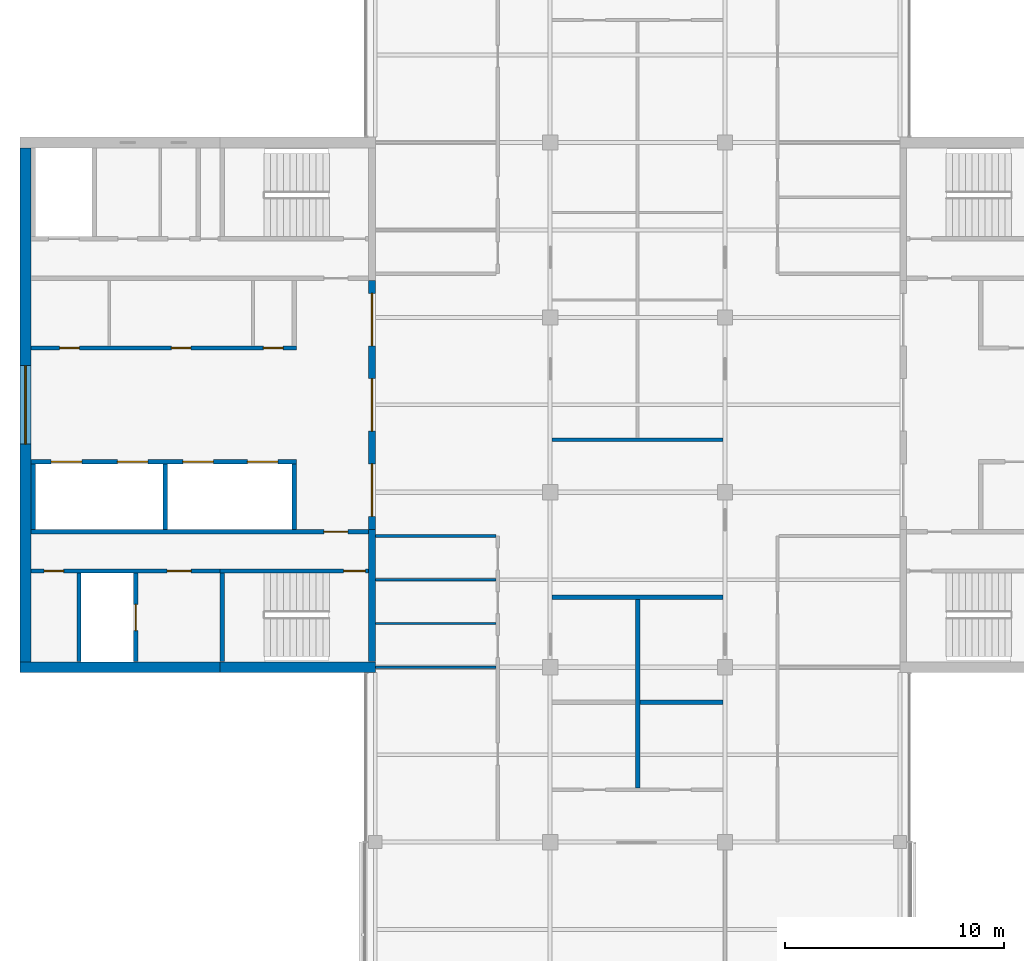
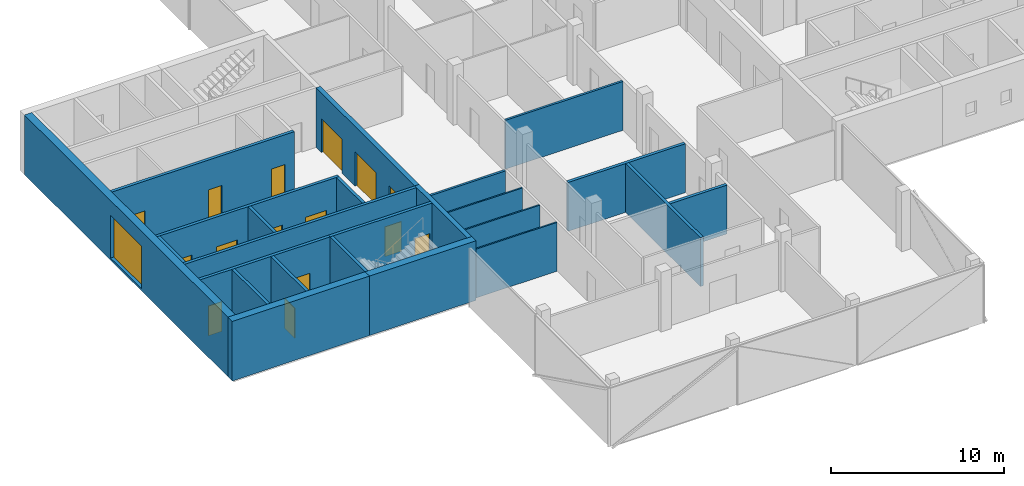
# One storey, part 9 of 16: 24 walls, 15 doors, 1 window, 16 openings.
"""IFC4 building model written with IfcOpenShell, lengths in metres."""

from ifc_helpers import new_model, si_unit, direction, frame, frame_2d, origin, place, context, subcontext, project, spatial, rectangle, extrude, material, layer, layer_set, constituent, constituent_set, type_object, element, fill, save


model = new_model("IFC4")

# Units and contexts
model_context = context("Model", 3, precision=1e-05, world=origin(), true_north=direction((0.0, 1.0)))
body_context = subcontext(model_context, "Body", "Model", "MODEL_VIEW")
ifc_project = project(units=[si_unit("LENGTHUNIT", "METRE"), si_unit("AREAUNIT", "SQUARE_METRE"), si_unit("VOLUMEUNIT", "CUBIC_METRE"), si_unit("PLANEANGLEUNIT", "RADIAN"), si_unit("MASSUNIT", "GRAM", prefix="KILO")], contexts=[model_context])

# Site, building, storey
site_placement = place(None, origin())
site = spatial("IfcSite", under=ifc_project, at=site_placement, CompositionType="ELEMENT")
building_placement = place(site_placement, origin())
building = spatial("IfcBuilding", under=site, at=building_placement, Name="Crosswind Convention Tower", CompositionType="ELEMENT")
storey_placement = place(building_placement, frame((0.0, 0.0, 274.5)))
storey = spatial("IfcBuildingStorey", under=building, at=storey_placement, Name="L59", CompositionType="ELEMENT", Elevation=274.5)

# Walls
ifc_material_1 = material(Name="Concrete blockwork", Category="masonry")
ifc_layer_1 = layer(ifc_material_1, 0.199951171875)
ifc_layer_set_1 = layer_set([ifc_layer_1], Name="COMPARTMENT WALL 200 BLOCKWORK")
wall_type_1 = type_object("IfcWallType", Name="COMPARTMENT WALL 200 BLOCKWORK", PredefinedType="SOLIDWALL", material=ifc_layer_set_1)
wall_1_placement = place(storey_placement, frame((125.0, 82.47509765625, 0.0), z_axis=(0.0, 0.0, 1.0), x_axis=(0.0, 1.0, 0.0)))
element("IfcWall", 1, at=wall_1_placement, inside=storey, type_object=wall_type_1, Name="Compartment wall WT42", PredefinedType="SOLIDWALL", context=body_context, shape_type="SweptSolid", body=[
    extrude(rectangle(XDim=8.625, YDim=0.199951171875, at=frame_2d((4.3125, 0.0))), origin(), (0.0, 0.0, 1.0), 3.44287109375),
])
wall_2_placement = place(storey_placement, frame((121.074951171875, 91.199951171875, 0.0), z_axis=(0.0, 0.0, 1.0), x_axis=(1.0, 0.0, 0.0)))
element("IfcWall", 2, at=wall_2_placement, inside=storey, type_object=wall_type_1, Name="Compartment wall WT42", PredefinedType="SOLIDWALL", context=body_context, shape_type="SweptSolid", body=[
    extrude(rectangle(XDim=7.824951171875, YDim=0.199951171875, at=frame_2d((3.91259765625, 0.0))), origin(), (0.0, 0.0, 1.0), 3.44287109375),
])
wall_3_placement = place(storey_placement, frame((125.10009765625, 86.39990234375, 0.0), z_axis=(0.0, 0.0, 1.0), x_axis=(1.0, 0.0, 0.0)))
element("IfcWall", 3, at=wall_3_placement, inside=storey, type_object=wall_type_1, Name="Compartment wall WT42", PredefinedType="SOLIDWALL", context=body_context, shape_type="SweptSolid", body=[
    extrude(rectangle(XDim=3.7998046875, YDim=0.199951171875, at=frame_2d((1.89990234375, 0.0))), origin(), (0.0, 0.0, 1.0), 3.44287109375),
])

# Wall, openings, doors
ifc_material_2 = material(Name="Concrete C50/60", Category="concrete")
ifc_layer_2 = layer(ifc_material_2, 0.300048828125)
ifc_layer_set_2 = layer_set([ifc_layer_2], Name="Concrete C50/60")
wall_type_2 = type_object("IfcWallType", Name="Concrete inner core wall 300", PredefinedType="SHEAR", material=ifc_layer_set_2)
wall_4_placement = place(storey_placement, frame((112.85009765625, 105.699951171875, 0.0), z_axis=(0.0, 0.0, 1.0), x_axis=(0.0, -1.0, 0.0)))
wall_4 = element("IfcWall", 4, at=wall_4_placement, inside=storey, type_object=wall_type_2, Name="Wall SCR W L59", PredefinedType="SHEAR", context=body_context, shape_type="SweptSolid", body=[
    extrude(rectangle(XDim=11.39990234375, YDim=0.300048828125, at=frame_2d((5.699951171875, 0.0))), origin(), (0.0, 0.0, 1.0), 4.199951171875),
])
opening_1_placement = place(wall_4_placement, frame((0.60009765625, 0.0, 0.0)))
opening_1 = element("IfcOpeningElement", 5, at=opening_1_placement, cuts=wall_4, Name="Opening D100", PredefinedType="OPENING", context=body_context, shape_type="SweptSolid", body=[
    extrude(rectangle(XDim=2.39990234375, YDim=2.39990234375, at=frame_2d((1.199951171875, 1.199951171875))), frame((0.0, 0.159912109375, 0.0), z_axis=(0.0, -1.0, 0.0), x_axis=(1.0, 0.0, 0.0)), (0.0, 0.0, 1.0), 0.320068359375),
])
opening_2_placement = place(wall_4_placement, frame((4.5, 0.0, 0.0)))
opening_2 = element("IfcOpeningElement", 6, at=opening_2_placement, cuts=wall_4, Name="Opening D100", PredefinedType="OPENING", context=body_context, shape_type="SweptSolid", body=[
    extrude(rectangle(XDim=2.39990234375, YDim=2.39990234375, at=frame_2d((1.199951171875, 1.199951171875))), frame((0.0, 0.159912109375, 0.0), z_axis=(0.0, -1.0, 0.0), x_axis=(1.0, 0.0, 0.0)), (0.0, 0.0, 1.0), 0.320068359375),
])
opening_3_placement = place(wall_4_placement, frame((8.39990234375, 0.0, 0.0)))
opening_3 = element("IfcOpeningElement", 7, at=opening_3_placement, cuts=wall_4, Name="Opening D100", PredefinedType="OPENING", context=body_context, shape_type="SweptSolid", body=[
    extrude(rectangle(XDim=2.39990234375, YDim=2.39990234375, at=frame_2d((1.199951171875, 1.199951171875))), frame((0.0, 0.159912109375, 0.0), z_axis=(0.0, -1.0, 0.0), x_axis=(1.0, 0.0, 0.0)), (0.0, 0.0, 1.0), 0.320068359375),
])
ifc_material_3 = material(Name="Steel fire door with glazed vision panels", Category="steel")
door_type_1 = type_object("IfcDoorType", Name="Fire-rated double door 2400x2400", OperationType="DOUBLE_DOOR_SINGLE_SWING", PredefinedType="DOOR", material=ifc_material_3)
door_1_placement = place(opening_1_placement, origin())
door_1 = element("IfcDoor", 8, at=door_1_placement, inside=storey, type_object=door_type_1, Name="Lobby door 1 L59", ObjectType="D100", OperationType="DOUBLE_DOOR_SINGLE_SWING", OverallHeight=2.39990234375, OverallWidth=2.39990234375, PredefinedType="DOOR", context=body_context, shape_type="SweptSolid", body=[
    extrude(rectangle(XDim=2.39990234375, YDim=2.39990234375, at=frame_2d((1.199951171875, 1.199951171875))), frame((0.0, 0.02490234375, 0.0), z_axis=(0.0, -1.0, 0.0), x_axis=(1.0, 0.0, 0.0)), (0.0, 0.0, 1.0), 0.050048828125),
])
fill(opening_1, door_1)
door_2_placement = place(opening_2_placement, origin())
door_2 = element("IfcDoor", 9, at=door_2_placement, inside=storey, type_object=door_type_1, Name="Lobby door 2 L59", ObjectType="D100", OperationType="DOUBLE_DOOR_SINGLE_SWING", OverallHeight=2.39990234375, OverallWidth=2.39990234375, PredefinedType="DOOR", context=body_context, shape_type="SweptSolid", body=[
    extrude(rectangle(XDim=2.39990234375, YDim=2.39990234375, at=frame_2d((1.199951171875, 1.199951171875))), frame((0.0, 0.02490234375, 0.0), z_axis=(0.0, -1.0, 0.0), x_axis=(1.0, 0.0, 0.0)), (0.0, 0.0, 1.0), 0.050048828125),
])
fill(opening_2, door_2)
door_3_placement = place(opening_3_placement, origin())
door_3 = element("IfcDoor", 10, at=door_3_placement, inside=storey, type_object=door_type_1, Name="Lobby door 3 L59", ObjectType="D100", OperationType="DOUBLE_DOOR_SINGLE_SWING", OverallHeight=2.39990234375, OverallWidth=2.39990234375, PredefinedType="DOOR", context=body_context, shape_type="SweptSolid", body=[
    extrude(rectangle(XDim=2.39990234375, YDim=2.39990234375, at=frame_2d((1.199951171875, 1.199951171875))), frame((0.0, 0.02490234375, 0.0), z_axis=(0.0, -1.0, 0.0), x_axis=(1.0, 0.0, 0.0)), (0.0, 0.0, 1.0), 0.050048828125),
])
fill(opening_3, door_3)

# Walls
wall_5_placement = place(storey_placement, frame((112.85009765625, 94.300048828125, 0.0), z_axis=(0.0, 0.0, 1.0), x_axis=(0.0, -1.0, 0.0)))
element("IfcWall", 11, at=wall_5_placement, inside=storey, type_object=wall_type_2, Name="Wall EP W L59", PredefinedType="SHEAR", context=body_context, shape_type="SweptSolid", body=[
    extrude(rectangle(XDim=6.050048828125, YDim=0.300048828125, at=frame_2d((3.02490234375, 0.0))), origin(), (0.0, 0.0, 1.0), 4.199951171875),
])
ifc_layer_3 = layer(ifc_material_2, 0.199951171875)
ifc_layer_set_3 = layer_set([ifc_layer_3], Name="Concrete C50/60")
wall_type_3 = type_object("IfcWallType", Name="Concrete shaft and stair wall 200", PredefinedType="SHEAR", material=ifc_layer_set_3)
for number, where, z_axis, x_axis, name in (
    (12, (109.300048828125, 97.300048828125, 0.0), (0.0, 0.0, 1.0), (0.0, -1.0, 0.0), "Wall RPEND W L59"),
    (13, (103.39990234375, 97.300048828125, 0.0), (0.0, 0.0, 1.0), (0.0, -1.0, 0.0), "Wall RPSEP W L59"),
    (14, (97.35009765625, 97.300048828125, 0.0), (0.0, 0.0, 1.0), (0.0, -1.0, 0.0), "Wall RPEAST W L59"),
):
    element("IfcWall", number, at=place(storey_placement, frame(where, z_axis=z_axis, x_axis=x_axis)), inside=storey, type_object=wall_type_3, Name=name, PredefinedType="SHEAR", context=body_context, shape_type="SweptSolid", body=[
        extrude(rectangle(XDim=3.0, YDim=0.199951171875, at=frame_2d((1.5, 0.0))), origin(), (0.0, 0.0, 1.0), 4.199951171875),
    ])

# Wall, openings, doors
wall_6_placement = place(storey_placement, frame((109.39990234375, 97.39990234375, 0.0), z_axis=(0.0, 0.0, 1.0), x_axis=(-1.0, 0.0, 0.0)))
wall_6 = element("IfcWall", 15, at=wall_6_placement, inside=storey, type_object=wall_type_3, Name="Wall RPFRONT W L59", PredefinedType="SHEAR", context=body_context, shape_type="SweptSolid", body=[
    extrude(rectangle(XDim=12.14990234375, YDim=0.199951171875, at=frame_2d((6.074951171875, 0.0))), origin(), (0.0, 0.0, 1.0), 4.199951171875),
])
opening_4_placement = place(wall_6_placement, frame((0.85009765625, 0.0, 0.0)))
opening_4 = element("IfcOpeningElement", 16, at=opening_4_placement, cuts=wall_6, Name="Opening LD2", PredefinedType="OPENING", context=body_context, shape_type="SweptSolid", body=[
    extrude(rectangle(XDim=1.39990234375, YDim=2.10009765625, at=frame_2d((0.699951171875, 1.050048828125))), frame((0.0, 0.10986328125, 0.0), z_axis=(0.0, -1.0, 0.0), x_axis=(1.0, 0.0, 0.0)), (0.0, 0.0, 1.0), 0.219970703125),
])
opening_5_placement = place(wall_6_placement, frame((3.800048828125, 0.0, 0.0)))
opening_5 = element("IfcOpeningElement", 17, at=opening_5_placement, cuts=wall_6, Name="Opening LD2", PredefinedType="OPENING", context=body_context, shape_type="SweptSolid", body=[
    extrude(rectangle(XDim=1.39990234375, YDim=2.10009765625, at=frame_2d((0.699951171875, 1.050048828125))), frame((0.0, 0.10986328125, 0.0), z_axis=(0.0, -1.0, 0.0), x_axis=(1.0, 0.0, 0.0)), (0.0, 0.0, 1.0), 0.219970703125),
])
opening_6_placement = place(wall_6_placement, frame((6.800048828125, 0.0, 0.0)))
opening_6 = element("IfcOpeningElement", 18, at=opening_6_placement, cuts=wall_6, Name="Opening LD2", PredefinedType="OPENING", context=body_context, shape_type="SweptSolid", body=[
    extrude(rectangle(XDim=1.39990234375, YDim=2.10009765625, at=frame_2d((0.699951171875, 1.050048828125))), frame((0.0, 0.10986328125, 0.0), z_axis=(0.0, -1.0, 0.0), x_axis=(1.0, 0.0, 0.0)), (0.0, 0.0, 1.0), 0.219970703125),
])
opening_7_placement = place(wall_6_placement, frame((9.824951171875, 0.0, 0.0)))
opening_7 = element("IfcOpeningElement", 19, at=opening_7_placement, cuts=wall_6, Name="Opening LD2", PredefinedType="OPENING", context=body_context, shape_type="SweptSolid", body=[
    extrude(rectangle(XDim=1.39990234375, YDim=2.10009765625, at=frame_2d((0.699951171875, 1.050048828125))), frame((0.0, 0.10986328125, 0.0), z_axis=(0.0, -1.0, 0.0), x_axis=(1.0, 0.0, 0.0)), (0.0, 0.0, 1.0), 0.219970703125),
])
ifc_material_4 = material(Name="Stainless steel", Category="steel")
door_type_2 = type_object("IfcDoorType", Name="Lift landing door 1400x2100", OperationType="DOUBLE_DOOR_SLIDING", PredefinedType="DOOR", material=ifc_material_4)
door_4_placement = place(opening_4_placement, origin())
door_4 = element("IfcDoor", 20, at=door_4_placement, inside=storey, type_object=door_type_2, Name="Landing door HR1 L59", ObjectType="LD2", OperationType="DOUBLE_DOOR_SLIDING", OverallHeight=2.10009765625, OverallWidth=1.39990234375, PredefinedType="DOOR", context=body_context, shape_type="SweptSolid", body=[
    extrude(rectangle(XDim=1.39990234375, YDim=2.10009765625, at=frame_2d((0.699951171875, 1.050048828125))), frame((0.0, 0.02490234375, 0.0), z_axis=(0.0, -1.0, 0.0), x_axis=(1.0, 0.0, 0.0)), (0.0, 0.0, 1.0), 0.050048828125),
])
fill(opening_4, door_4)
door_5_placement = place(opening_5_placement, origin())
door_5 = element("IfcDoor", 21, at=door_5_placement, inside=storey, type_object=door_type_2, Name="Landing door HR2 L59", ObjectType="LD2", OperationType="DOUBLE_DOOR_SLIDING", OverallHeight=2.10009765625, OverallWidth=1.39990234375, PredefinedType="DOOR", context=body_context, shape_type="SweptSolid", body=[
    extrude(rectangle(XDim=1.39990234375, YDim=2.10009765625, at=frame_2d((0.699951171875, 1.050048828125))), frame((0.0, 0.02490234375, 0.0), z_axis=(0.0, -1.0, 0.0), x_axis=(1.0, 0.0, 0.0)), (0.0, 0.0, 1.0), 0.050048828125),
])
fill(opening_5, door_5)
door_6_placement = place(opening_6_placement, origin())
door_6 = element("IfcDoor", 22, at=door_6_placement, inside=storey, type_object=door_type_2, Name="Landing door HR3 L59", ObjectType="LD2", OperationType="DOUBLE_DOOR_SLIDING", OverallHeight=2.10009765625, OverallWidth=1.39990234375, PredefinedType="DOOR", context=body_context, shape_type="SweptSolid", body=[
    extrude(rectangle(XDim=1.39990234375, YDim=2.10009765625, at=frame_2d((0.699951171875, 1.050048828125))), frame((0.0, 0.02490234375, 0.0), z_axis=(0.0, -1.0, 0.0), x_axis=(1.0, 0.0, 0.0)), (0.0, 0.0, 1.0), 0.050048828125),
])
fill(opening_6, door_6)
door_7_placement = place(opening_7_placement, origin())
door_7 = element("IfcDoor", 23, at=door_7_placement, inside=storey, type_object=door_type_2, Name="Landing door HR4 L59", ObjectType="LD2", OperationType="DOUBLE_DOOR_SLIDING", OverallHeight=2.10009765625, OverallWidth=1.39990234375, PredefinedType="DOOR", context=body_context, shape_type="SweptSolid", body=[
    extrude(rectangle(XDim=1.39990234375, YDim=2.10009765625, at=frame_2d((0.699951171875, 1.050048828125))), frame((0.0, 0.02490234375, 0.0), z_axis=(0.0, -1.0, 0.0), x_axis=(1.0, 0.0, 0.0)), (0.0, 0.0, 1.0), 0.050048828125),
])
fill(opening_7, door_7)

wall_7_placement = place(storey_placement, frame((109.39990234375, 102.60009765625, 0.0), z_axis=(0.0, 0.0, 1.0), x_axis=(-1.0, 0.0, 0.0)))
wall_7 = element("IfcWall", 24, at=wall_7_placement, inside=storey, type_object=wall_type_3, Name="Wall RMFRONT W L59", PredefinedType="SHEAR", context=body_context, shape_type="SweptSolid", body=[
    extrude(rectangle(XDim=12.14990234375, YDim=0.199951171875, at=frame_2d((6.074951171875, 0.0))), origin(), (0.0, 0.0, 1.0), 4.199951171875),
])
opening_8_placement = place(wall_7_placement, frame((0.614990234375, 0.0, 0.0)))
opening_8 = element("IfcOpeningElement", 25, at=opening_8_placement, cuts=wall_7, Name="Opening D106", PredefinedType="OPENING", context=body_context, shape_type="SweptSolid", body=[
    extrude(rectangle(XDim=0.89990234375, YDim=2.10009765625, at=frame_2d((0.449951171875, 1.050048828125))), frame((0.0, 0.10986328125, 0.0), z_axis=(0.0, -1.0, 0.0), x_axis=(1.0, 0.0, 0.0)), (0.0, 0.0, 1.0), 0.219970703125),
])
opening_9_placement = place(wall_7_placement, frame((4.828857421875, 0.0, 0.0)))
opening_9 = element("IfcOpeningElement", 26, at=opening_9_placement, cuts=wall_7, Name="Opening D106", PredefinedType="OPENING", context=body_context, shape_type="SweptSolid", body=[
    extrude(rectangle(XDim=0.89990234375, YDim=2.10009765625, at=frame_2d((0.449951171875, 1.050048828125))), frame((0.0, 0.10986328125, 0.0), z_axis=(0.0, -1.0, 0.0), x_axis=(1.0, 0.0, 0.0)), (0.0, 0.0, 1.0), 0.219970703125),
])
opening_10_placement = place(wall_7_placement, frame((9.938720703125, 0.0, 0.0)))
opening_10 = element("IfcOpeningElement", 27, at=opening_10_placement, cuts=wall_7, Name="Opening D106", PredefinedType="OPENING", context=body_context, shape_type="SweptSolid", body=[
    extrude(rectangle(XDim=0.89990234375, YDim=2.10009765625, at=frame_2d((0.449951171875, 1.050048828125))), frame((0.0, 0.10986328125, 0.0), z_axis=(0.0, -1.0, 0.0), x_axis=(1.0, 0.0, 0.0)), (0.0, 0.0, 1.0), 0.219970703125),
])
ifc_material_5 = material(Name="Timber door", Category="wood")
door_type_3 = type_object("IfcDoorType", Name="Single leaf door 900x2100", OperationType="NOTDEFINED", PredefinedType="DOOR", material=ifc_material_5)
door_8_placement = place(opening_8_placement, frame((0.89990234375, 0.0, 0.0), z_axis=(0.0, 0.0, 1.0), x_axis=(-1.0, 0.0, 0.0)))
door_8 = element("IfcDoor", 28, at=door_8_placement, inside=storey, type_object=door_type_3, Name="Door to pantry L59", ObjectType="D106", OperationType="SINGLE_SWING_LEFT", OverallHeight=2.10009765625, OverallWidth=0.89990234375, PredefinedType="DOOR", context=body_context, shape_type="SweptSolid", body=[
    extrude(rectangle(XDim=0.89990234375, YDim=2.10009765625, at=frame_2d((0.449951171875, 1.050048828125))), frame((0.0, 0.02490234375, 0.0), z_axis=(0.0, -1.0, 0.0), x_axis=(1.0, 0.0, 0.0)), (0.0, 0.0, 1.0), 0.050048828125),
])
fill(opening_8, door_8)
door_9_placement = place(opening_9_placement, frame((0.89990234375, 0.0, 0.0), z_axis=(0.0, 0.0, 1.0), x_axis=(-1.0, 0.0, 0.0)))
door_9 = element("IfcDoor", 29, at=door_9_placement, inside=storey, type_object=door_type_3, Name="Door to telecoms room L59", ObjectType="D106", OperationType="SINGLE_SWING_LEFT", OverallHeight=2.10009765625, OverallWidth=0.89990234375, PredefinedType="DOOR", context=body_context, shape_type="SweptSolid", body=[
    extrude(rectangle(XDim=0.89990234375, YDim=2.10009765625, at=frame_2d((0.449951171875, 1.050048828125))), frame((0.0, 0.02490234375, 0.0), z_axis=(0.0, -1.0, 0.0), x_axis=(1.0, 0.0, 0.0)), (0.0, 0.0, 1.0), 0.050048828125),
])
fill(opening_9, door_9)
door_10_placement = place(opening_10_placement, frame((0.89990234375, 0.0, 0.0), z_axis=(0.0, 0.0, 1.0), x_axis=(-1.0, 0.0, 0.0)))
door_10 = element("IfcDoor", 30, at=door_10_placement, inside=storey, type_object=door_type_3, Name="Door to storeroom L59", ObjectType="D106", OperationType="SINGLE_SWING_LEFT", OverallHeight=2.10009765625, OverallWidth=0.89990234375, PredefinedType="DOOR", context=body_context, shape_type="SweptSolid", body=[
    extrude(rectangle(XDim=0.89990234375, YDim=2.10009765625, at=frame_2d((0.449951171875, 1.050048828125))), frame((0.0, 0.02490234375, 0.0), z_axis=(0.0, -1.0, 0.0), x_axis=(1.0, 0.0, 0.0)), (0.0, 0.0, 1.0), 0.050048828125),
])
fill(opening_10, door_10)

# Wall, opening, door
wall_8_placement = place(storey_placement, frame((112.699951171875, 94.199951171875, 0.0), z_axis=(0.0, 0.0, 1.0), x_axis=(-1.0, 0.0, 0.0)))
wall_8 = element("IfcWall", 31, at=wall_8_placement, inside=storey, type_object=wall_type_3, Name="Wall HP W L59", PredefinedType="SHEAR", context=body_context, shape_type="SweptSolid", body=[
    extrude(rectangle(XDim=15.449951171875, YDim=0.199951171875, at=frame_2d((7.72509765625, 0.0))), origin(), (0.0, 0.0, 1.0), 4.199951171875),
])
opening_11_placement = place(wall_8_placement, frame((0.949951171875, 0.0, 0.0)))
opening_11 = element("IfcOpeningElement", 32, at=opening_11_placement, cuts=wall_8, Name="Opening D104", PredefinedType="OPENING", context=body_context, shape_type="SweptSolid", body=[
    extrude(rectangle(XDim=1.10009765625, YDim=2.10009765625, at=frame_2d((0.550048828125, 1.050048828125))), frame((0.0, 0.10986328125, 0.0), z_axis=(0.0, -1.0, 0.0), x_axis=(1.0, 0.0, 0.0)), (0.0, 0.0, 1.0), 0.219970703125),
])
ifc_material_6 = material(Name="Steel fire door", Category="steel")
door_type_4 = type_object("IfcDoorType", Name="Fire-rated single door 1100x2100", OperationType="NOTDEFINED", PredefinedType="DOOR", material=ifc_material_6)
door_11_placement = place(opening_11_placement, origin())
door_11 = element("IfcDoor", 33, at=door_11_placement, inside=storey, type_object=door_type_4, Name="Corridor door L59", ObjectType="D104", OperationType="SINGLE_SWING_LEFT", OverallHeight=2.10009765625, OverallWidth=1.10009765625, PredefinedType="DOOR", context=body_context, shape_type="SweptSolid", body=[
    extrude(rectangle(XDim=1.10009765625, YDim=2.10009765625, at=frame_2d((0.550048828125, 1.050048828125))), frame((0.0, 0.02490234375, 0.0), z_axis=(0.0, -1.0, 0.0), x_axis=(1.0, 0.0, 0.0)), (0.0, 0.0, 1.0), 0.050048828125),
])
fill(opening_11, door_11)

# Wall
wall_9_placement = place(storey_placement, frame((106.0, 92.300048828125, 0.0), z_axis=(0.0, 0.0, 1.0), x_axis=(0.0, -1.0, 0.0)))
element("IfcWall", 34, at=wall_9_placement, inside=storey, type_object=wall_type_3, Name="Wall PSE W L59", PredefinedType="SHEAR", context=body_context, shape_type="SweptSolid", body=[
    extrude(rectangle(XDim=4.050048828125, YDim=0.199951171875, at=frame_2d((2.02490234375, 0.0))), origin(), (0.0, 0.0, 1.0), 4.199951171875),
])

# Wall, opening, door
wall_10_placement = place(storey_placement, frame((102.050048828125, 92.300048828125, 0.0), z_axis=(0.0, 0.0, 1.0), x_axis=(0.0, -1.0, 0.0)))
wall_10 = element("IfcWall", 35, at=wall_10_placement, inside=storey, type_object=wall_type_3, Name="Wall PFLW W L59", PredefinedType="SHEAR", context=body_context, shape_type="SweptSolid", body=[
    extrude(rectangle(XDim=4.050048828125, YDim=0.199951171875, at=frame_2d((2.02490234375, 0.0))), origin(), (0.0, 0.0, 1.0), 4.199951171875),
])
opening_12_placement = place(wall_10_placement, frame((1.425048828125, 0.0, 0.0)))
opening_12 = element("IfcOpeningElement", 36, at=opening_12_placement, cuts=wall_10, Name="Opening LD1", PredefinedType="OPENING", context=body_context, shape_type="SweptSolid", body=[
    extrude(rectangle(XDim=1.199951171875, YDim=2.10009765625, at=frame_2d((0.60009765625, 1.050048828125))), frame((0.0, 0.10986328125, 0.0), z_axis=(0.0, -1.0, 0.0), x_axis=(1.0, 0.0, 0.0)), (0.0, 0.0, 1.0), 0.219970703125),
])
door_type_5 = type_object("IfcDoorType", Name="Lift landing door 1200x2100", OperationType="DOUBLE_DOOR_SLIDING", PredefinedType="DOOR", material=ifc_material_4)
door_12_placement = place(opening_12_placement, origin())
door_12 = element("IfcDoor", 37, at=door_12_placement, inside=storey, type_object=door_type_5, Name="Landing door FF2 L59", ObjectType="LD1", OperationType="DOUBLE_DOOR_SLIDING", OverallHeight=2.10009765625, OverallWidth=1.199951171875, PredefinedType="DOOR", context=body_context, shape_type="SweptSolid", body=[
    extrude(rectangle(XDim=1.199951171875, YDim=2.10009765625, at=frame_2d((0.60009765625, 1.050048828125))), frame((0.0, 0.02490234375, 0.0), z_axis=(0.0, -1.0, 0.0), x_axis=(1.0, 0.0, 0.0)), (0.0, 0.0, 1.0), 0.050048828125),
])
fill(opening_12, door_12)

# Wall
wall_11_placement = place(storey_placement, frame((99.449951171875, 92.300048828125, 0.0), z_axis=(0.0, 0.0, 1.0), x_axis=(0.0, -1.0, 0.0)))
element("IfcWall", 38, at=wall_11_placement, inside=storey, type_object=wall_type_3, Name="Wall PFSE W L59", PredefinedType="SHEAR", context=body_context, shape_type="SweptSolid", body=[
    extrude(rectangle(XDim=4.050048828125, YDim=0.199951171875, at=frame_2d((2.02490234375, 0.0))), origin(), (0.0, 0.0, 1.0), 4.199951171875),
])

# Wall, opening, door
wall_12_placement = place(storey_placement, frame((112.699951171875, 92.39990234375, 0.0), z_axis=(0.0, 0.0, 1.0), x_axis=(-1.0, 0.0, 0.0)))
wall_12 = element("IfcWall", 39, at=wall_12_placement, inside=storey, type_object=wall_type_3, Name="Wall PCW W L59", PredefinedType="SHEAR", context=body_context, shape_type="SweptSolid", body=[
    extrude(rectangle(XDim=6.800048828125, YDim=0.199951171875, at=frame_2d((3.39990234375, 0.0))), origin(), (0.0, 0.0, 1.0), 4.199951171875),
])
opening_13_placement = place(wall_12_placement, frame((0.14990234375, 0.0, 0.0)))
opening_13 = element("IfcOpeningElement", 40, at=opening_13_placement, cuts=wall_12, Name="Opening D103", PredefinedType="OPENING", context=body_context, shape_type="SweptSolid", body=[
    extrude(rectangle(XDim=1.0, YDim=2.10009765625, at=frame_2d((0.5, 1.050048828125))), frame((0.0, 0.10986328125, 0.0), z_axis=(0.0, -1.0, 0.0), x_axis=(1.0, 0.0, 0.0)), (0.0, 0.0, 1.0), 0.219970703125),
])
door_type_6 = type_object("IfcDoorType", Name="Fire-rated single door 1000x2100", OperationType="NOTDEFINED", PredefinedType="DOOR", material=ifc_material_6)
door_13_placement = place(opening_13_placement, origin())
door_13 = element("IfcDoor", 41, at=door_13_placement, inside=storey, type_object=door_type_6, Name="Stair ST3 door L59", ObjectType="D103", OperationType="SINGLE_SWING_LEFT", OverallHeight=2.10009765625, OverallWidth=1.0, PredefinedType="DOOR", context=body_context, shape_type="SweptSolid", body=[
    extrude(rectangle(XDim=1.0, YDim=2.10009765625, at=frame_2d((0.5, 1.050048828125))), frame((0.0, 0.02490234375, 0.0), z_axis=(0.0, -1.0, 0.0), x_axis=(1.0, 0.0, 0.0)), (0.0, 0.0, 1.0), 0.050048828125),
])
fill(opening_13, door_13)

# Wall, openings, doors
wall_13_placement = place(storey_placement, frame((105.89990234375, 92.39990234375, 0.0), z_axis=(0.0, 0.0, 1.0), x_axis=(-1.0, 0.0, 0.0)))
wall_13 = element("IfcWall", 42, at=wall_13_placement, inside=storey, type_object=wall_type_3, Name="Wall PCX W L59", PredefinedType="SHEAR", context=body_context, shape_type="SweptSolid", body=[
    extrude(rectangle(XDim=8.64990234375, YDim=0.199951171875, at=frame_2d((4.324951171875, 0.0))), origin(), (0.0, 0.0, 1.0), 4.199951171875),
])
opening_14_placement = place(wall_13_placement, frame((1.324951171875, 0.0, 0.0)))
opening_14 = element("IfcOpeningElement", 43, at=opening_14_placement, cuts=wall_13, Name="Opening D104", PredefinedType="OPENING", context=body_context, shape_type="SweptSolid", body=[
    extrude(rectangle(XDim=1.10009765625, YDim=2.10009765625, at=frame_2d((0.550048828125, 1.050048828125))), frame((0.0, 0.10986328125, 0.0), z_axis=(0.0, -1.0, 0.0), x_axis=(1.0, 0.0, 0.0)), (0.0, 0.0, 1.0), 0.219970703125),
])
opening_15_placement = place(wall_13_placement, frame((7.14990234375, 0.0, 0.0)))
opening_15 = element("IfcOpeningElement", 44, at=opening_15_placement, cuts=wall_13, Name="Opening D106", PredefinedType="OPENING", context=body_context, shape_type="SweptSolid", body=[
    extrude(rectangle(XDim=0.89990234375, YDim=2.10009765625, at=frame_2d((0.449951171875, 1.050048828125))), frame((0.0, 0.10986328125, 0.0), z_axis=(0.0, -1.0, 0.0), x_axis=(1.0, 0.0, 0.0)), (0.0, 0.0, 1.0), 0.219970703125),
])
door_14_placement = place(opening_14_placement, origin())
door_14 = element("IfcDoor", 45, at=door_14_placement, inside=storey, type_object=door_type_4, Name="Fire-fighting lobby FF2 door L59", ObjectType="D104", OperationType="SINGLE_SWING_RIGHT", OverallHeight=2.10009765625, OverallWidth=1.10009765625, PredefinedType="DOOR", context=body_context, shape_type="SweptSolid", body=[
    extrude(rectangle(XDim=1.10009765625, YDim=2.10009765625, at=frame_2d((0.550048828125, 1.050048828125))), frame((0.0, 0.02490234375, 0.0), z_axis=(0.0, -1.0, 0.0), x_axis=(1.0, 0.0, 0.0)), (0.0, 0.0, 1.0), 0.050048828125),
])
fill(opening_14, door_14)
door_15_placement = place(opening_15_placement, origin())
door_15 = element("IfcDoor", 46, at=door_15_placement, inside=storey, type_object=door_type_3, Name="Door to comms room L59", ObjectType="D106", OperationType="SINGLE_SWING_RIGHT", OverallHeight=2.10009765625, OverallWidth=0.89990234375, PredefinedType="DOOR", context=body_context, shape_type="SweptSolid", body=[
    extrude(rectangle(XDim=0.89990234375, YDim=2.10009765625, at=frame_2d((0.449951171875, 1.050048828125))), frame((0.0, 0.02490234375, 0.0), z_axis=(0.0, -1.0, 0.0), x_axis=(1.0, 0.0, 0.0)), (0.0, 0.0, 1.0), 0.050048828125),
])
fill(opening_15, door_15)

# Walls
ifc_material_7 = material(Name="Plasterboard partition", Category="gypsum")
ifc_layer_4 = layer(ifc_material_7, 0.10009765625)
ifc_layer_set_4 = layer_set([ifc_layer_4], Name="PARTITION 100 METAL STUD")
wall_type_4 = type_object("IfcWallType", Name="PARTITION 100 METAL STUD", PredefinedType="PARTITIONING", material=ifc_layer_set_4)
for number, where, z_axis, x_axis, name in (
    (47, (113.0, 88.0, 0.0), (0.0, 0.0, 1.0), (1.0, 0.0, 0.0), "Partition wall WT40"),
    (48, (113.0, 90.0, 0.0), (0.0, 0.0, 1.0), (1.0, 0.0, 0.0), "Partition wall WT40"),
    (49, (113.0, 92.0, 0.0), (0.0, 0.0, 1.0), (1.0, 0.0, 0.0), "Partition wall WT40"),
):
    element("IfcWall", number, at=place(storey_placement, frame(where, z_axis=z_axis, x_axis=x_axis)), inside=storey, type_object=wall_type_4, Name=name, PredefinedType="PARTITIONING", context=body_context, shape_type="SweptSolid", body=[
        extrude(rectangle(XDim=5.52490234375, YDim=0.10009765625, at=frame_2d((2.762451171875, 0.0))), origin(), (0.0, 0.0, 1.0), 3.44287109375),
    ])
ifc_material_8 = material(Name="Fire-board partition with mineral wool", Category="gypsum")
ifc_layer_5 = layer(ifc_material_8, 0.14990234375)
ifc_layer_set_5 = layer_set([ifc_layer_5], Name="TENANCY WALL 150 TWO-HOUR BOARD")
wall_type_5 = type_object("IfcWallType", Name="TENANCY WALL 150 TWO-HOUR BOARD", PredefinedType="PARTITIONING", material=ifc_layer_set_5)
wall_14_placement = place(storey_placement, frame((113.0, 94.0, 0.0), z_axis=(0.0, 0.0, 1.0), x_axis=(1.0, 0.0, 0.0)))
element("IfcWall", 50, at=wall_14_placement, inside=storey, type_object=wall_type_5, Name="Tenancy wall WT41", PredefinedType="PARTITIONING", context=body_context, shape_type="SweptSolid", body=[
    extrude(rectangle(XDim=5.52490234375, YDim=0.14990234375, at=frame_2d((2.762451171875, 0.0))), origin(), (0.0, 0.0, 1.0), 3.44287109375),
])
wall_15_placement = place(storey_placement, frame((121.074951171875, 98.39990234375, 0.0), z_axis=(0.0, 0.0, 1.0), x_axis=(1.0, 0.0, 0.0)))
element("IfcWall", 51, at=wall_15_placement, inside=storey, type_object=wall_type_5, Name="Tenancy wall WT41", PredefinedType="PARTITIONING", context=body_context, shape_type="SweptSolid", body=[
    extrude(rectangle(XDim=7.824951171875, YDim=0.14990234375, at=frame_2d((3.91259765625, 0.0))), origin(), (0.0, 0.0, 1.0), 3.44287109375),
])
ifc_material_9 = material(Name="Concrete C60/75", Category="concrete")
ifc_constituent_1 = constituent(ifc_material_9, Name="Structure")
ifc_material_10 = material(Name="Terracotta rainscreen", Category="ceramic")
ifc_constituent_2 = constituent(ifc_material_10, Name="Facing")
ifc_constituent_set = constituent_set(constituents=[ifc_constituent_1, ifc_constituent_2], Name="Concrete C60/75, Terracotta rainscreen")
wall_type_6 = type_object("IfcWallType", Name="Terracotta rainscreen on concrete core wall 500", PredefinedType="SHEAR", material=ifc_constituent_set)
wall_16_placement = place(storey_placement, frame((113.0, 88.0, 0.0), z_axis=(0.0, 0.0, 1.0), x_axis=(-1.0, 0.0, 0.0)))
element("IfcWall", 52, at=wall_16_placement, inside=storey, type_object=wall_type_6, Name="Wall N1 W L59", PredefinedType="SHEAR", context=body_context, shape_type="SweptSolid", body=[
    extrude(rectangle(XDim=7.10009765625, YDim=0.5, at=frame_2d((3.550048828125, 0.0))), origin(), (0.0, 0.0, 1.0), 4.199951171875),
])
wall_17_placement = place(storey_placement, frame((105.89990234375, 88.0, 0.0), z_axis=(0.0, 0.0, 1.0), x_axis=(-1.0, 0.0, 0.0)))
element("IfcWall", 53, at=wall_17_placement, inside=storey, type_object=wall_type_6, Name="Wall N2 W L59", PredefinedType="SHEAR", context=body_context, shape_type="SweptSolid", body=[
    extrude(rectangle(XDim=9.14990234375, YDim=0.5, at=frame_2d((4.574951171875, 0.0))), origin(), (0.0, 0.0, 1.0), 4.199951171875),
])

# Wall, opening, window
wall_18_placement = place(storey_placement, frame((97.0, 111.75, 0.0), z_axis=(0.0, 0.0, 1.0), x_axis=(0.0, -1.0, 0.0)))
wall_18 = element("IfcWall", 54, at=wall_18_placement, inside=storey, type_object=wall_type_6, Name="Wall O W L59", PredefinedType="SHEAR", context=body_context, shape_type="SweptSolid", body=[
    extrude(rectangle(XDim=23.5, YDim=0.5, at=frame_2d((11.75, 0.0))), origin(), (0.0, 0.0, 1.0), 4.199951171875),
])
opening_16_placement = place(wall_18_placement, frame((9.949951171875, 0.0, 0.14990234375)))
opening_16 = element("IfcOpeningElement", 55, at=opening_16_placement, cuts=wall_18, Name="Opening W1", PredefinedType="OPENING", context=body_context, shape_type="SweptSolid", body=[
    extrude(rectangle(XDim=3.60009765625, YDim=3.0, at=frame_2d((1.800048828125, 1.5))), frame((0.0, 0.260009765625, 0.0), z_axis=(0.0, -1.0, 0.0), x_axis=(1.0, 0.0, 0.0)), (0.0, 0.0, 1.0), 0.52001953125),
])
ifc_material_11 = material(Name="Clear laminated glass in aluminium frame", Category="aluminium")
window_type = type_object("IfcWindowType", Name="Lobby end window 3600x3000", PartitioningType="SINGLE_PANEL", PredefinedType="WINDOW", material=ifc_material_11)
window_placement = place(opening_16_placement, origin())
window = element("IfcWindow", 56, at=window_placement, inside=storey, type_object=window_type, Name="Lobby end window L59", ObjectType="W1", OverallHeight=3.0, OverallWidth=3.60009765625, PartitioningType="SINGLE_PANEL", PredefinedType="WINDOW", context=body_context, shape_type="SweptSolid", body=[
    extrude(rectangle(XDim=3.60009765625, YDim=3.0, at=frame_2d((1.800048828125, 1.5))), frame((0.0, 0.030029296875, 0.0), z_axis=(0.0, -1.0, 0.0), x_axis=(1.0, 0.0, 0.0)), (0.0, 0.0, 1.0), 0.06005859375),
])
fill(opening_16, window)

save(model, "model.ifc")
